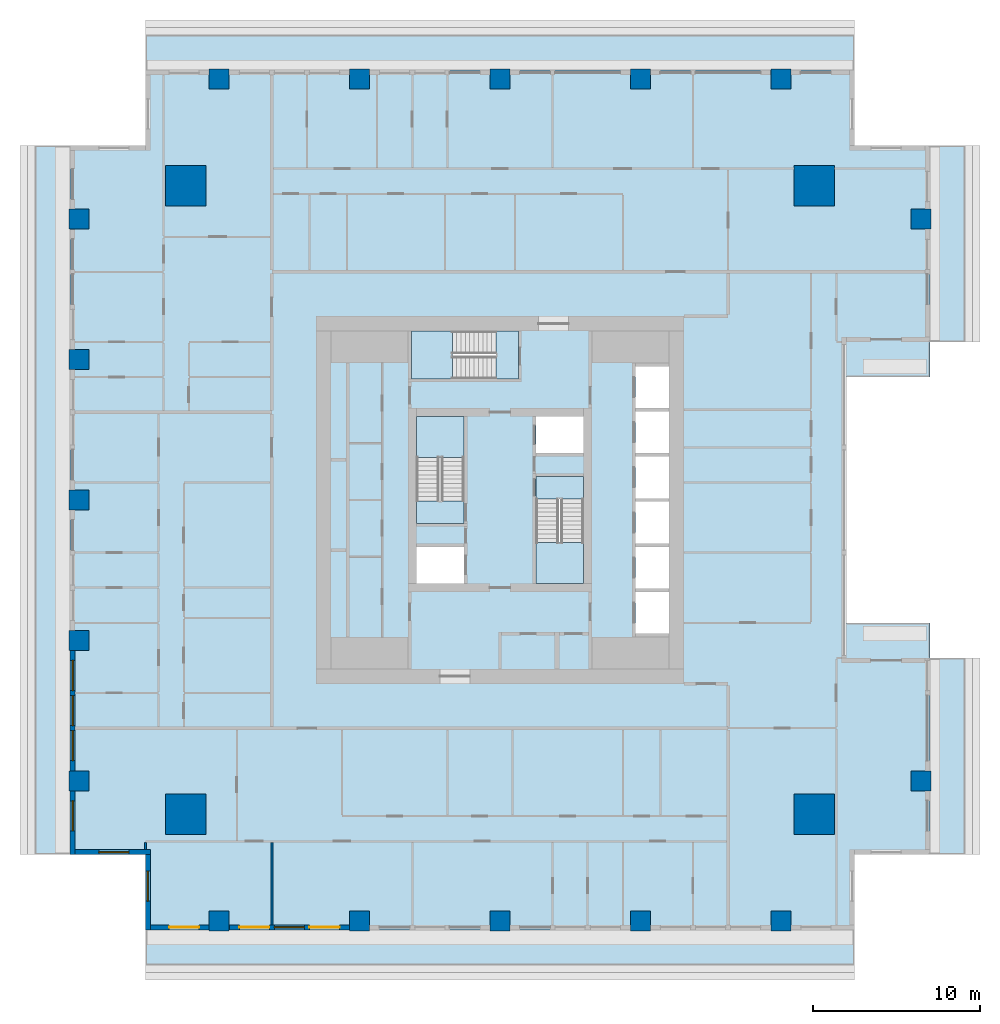
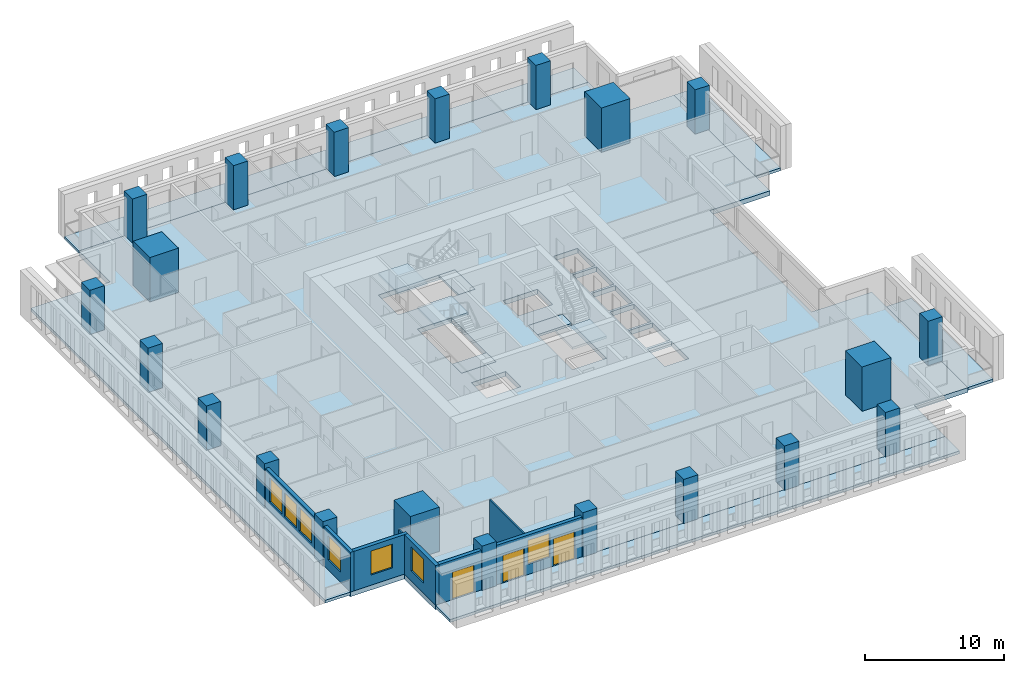
# One storey, part 1 of 15: 21 columns, 12 slabs, 8 walls, 7 windows, 3 doors, 10 openings, 3 elements without a shape of their own.
"""IFC4 building model written with IfcOpenShell, lengths in metres."""

from ifc_helpers import new_model, si_unit, direction, frame, frame_2d, origin, origin_2d, place, context, subcontext, project, spatial, polyline, rectangle, outline, extrude, material, layer, layer_set, material_profile, profile_set, type_object, element, fill, aggregate, save


model = new_model("IFC4")

# Units and contexts
model_context = context("Model", 3, precision=1e-05, world=origin(), true_north=direction((0.0, 1.0)))
body_context = subcontext(model_context, "Body", "Model", "MODEL_VIEW")
ifc_project = project(units=[si_unit("LENGTHUNIT", "METRE"), si_unit("AREAUNIT", "SQUARE_METRE"), si_unit("VOLUMEUNIT", "CUBIC_METRE"), si_unit("PLANEANGLEUNIT", "RADIAN"), si_unit("MASSUNIT", "GRAM", prefix="KILO")], contexts=[model_context])

# Site, building, storey
site_placement = place(None, origin())
site = spatial("IfcSite", under=ifc_project, at=site_placement, CompositionType="ELEMENT")
building_placement = place(site_placement, origin())
building = spatial("IfcBuilding", under=site, at=building_placement, Name="Khepri Terraces", CompositionType="ELEMENT")
storey_placement = place(building_placement, frame((0.0, 0.0, 211.800048828125)))
storey = spatial("IfcBuildingStorey", under=building, at=storey_placement, Name="L50", CompositionType="ELEMENT", Elevation=211.800048828125)

# Columns
ifc_material_1 = material(Name="Concrete C50/60", Category="concrete")
ifc_material_profile_1 = material_profile(ifc_material_1, rectangle(XDim=2.39990234375, YDim=2.39990234375, at=origin_2d()), Name="Concrete C50/60", Category="concrete")
ifc_profile_set_1 = profile_set([ifc_material_profile_1], Name="Concrete C50/60")
column_type_1 = type_object("IfcColumnType", Name="Mega column RC 2400x2400 C50/60", PredefinedType="COLUMN", material=ifc_profile_set_1)
for number, where, z_axis, x_axis, name in (
    (1, (18.800048828125, 18.800048828125, 0.0), (0.0, 0.0, 1.0), (1.0, 0.0, 0.0), "Mega column MEN L50"),
    (2, (18.800048828125, -18.800048828125, 0.0), (0.0, 0.0, 1.0), (1.0, 0.0, 0.0), "Mega column MES L50"),
    (3, (-18.800048828125, 18.800048828125, 0.0), (0.0, 0.0, 1.0), (1.0, 0.0, 0.0), "Mega column MWN L50"),
    (4, (-18.800048828125, -18.800048828125, 0.0), (0.0, 0.0, 1.0), (1.0, 0.0, 0.0), "Mega column MWS L50"),
):
    element("IfcColumn", number, at=place(storey_placement, frame(where, z_axis=z_axis, x_axis=x_axis)), inside=storey, type_object=column_type_1, Name=name, PredefinedType="COLUMN", context=body_context, shape_type="SweptSolid", body=[
        extrude(rectangle(XDim=2.39990234375, YDim=2.39990234375, at=origin_2d()), origin(), (0.0, 0.0, 1.0), 3.89990234375),
    ])
ifc_material_profile_2 = material_profile(ifc_material_1, rectangle(XDim=1.199951171875, YDim=1.199951171875, at=origin_2d()), Name="Concrete C50/60", Category="concrete")
ifc_profile_set_2 = profile_set([ifc_material_profile_2], Name="Concrete C50/60")
column_type_2 = type_object("IfcColumnType", Name="Tower column RC 1200x1200 C50/60", PredefinedType="COLUMN", material=ifc_profile_set_2)
for number, where, z_axis, x_axis, name in (
    (5, (25.199951171875, 16.800048828125, 0.0), (0.0, 0.0, 1.0), (1.0, 0.0, 0.0), "Perimeter column PE+168a L50"),
    (6, (25.199951171875, -16.800048828125, 0.0), (0.0, 0.0, 1.0), (1.0, 0.0, 0.0), "Perimeter column PE-168a L50"),
    (7, (0.0, 25.199951171875, 0.0), (0.0, 0.0, 1.0), (1.0, 0.0, 0.0), "Perimeter column PN+000b L50"),
    (8, (-8.39990234375, 25.199951171875, 0.0), (0.0, 0.0, 1.0), (1.0, 0.0, 0.0), "Perimeter column PN+084b L50"),
    (9, (-16.800048828125, 25.199951171875, 0.0), (0.0, 0.0, 1.0), (1.0, 0.0, 0.0), "Perimeter column PN+168a L50"),
    (10, (8.39990234375, 25.199951171875, 0.0), (0.0, 0.0, 1.0), (1.0, 0.0, 0.0), "Perimeter column PN-084b L50"),
    (11, (16.800048828125, 25.199951171875, 0.0), (0.0, 0.0, 1.0), (1.0, 0.0, 0.0), "Perimeter column PN-168a L50"),
    (12, (0.0, -25.199951171875, 0.0), (0.0, 0.0, 1.0), (1.0, 0.0, 0.0), "Perimeter column PS+000b L50"),
    (13, (8.39990234375, -25.199951171875, 0.0), (0.0, 0.0, 1.0), (1.0, 0.0, 0.0), "Perimeter column PS+084b L50"),
    (14, (16.800048828125, -25.199951171875, 0.0), (0.0, 0.0, 1.0), (1.0, 0.0, 0.0), "Perimeter column PS+168a L50"),
    (15, (-8.39990234375, -25.199951171875, 0.0), (0.0, 0.0, 1.0), (1.0, 0.0, 0.0), "Perimeter column PS-084b L50"),
    (16, (-16.800048828125, -25.199951171875, 0.0), (0.0, 0.0, 1.0), (1.0, 0.0, 0.0), "Perimeter column PS-168a L50"),
    (17, (-25.199951171875, 0.0, 0.0), (0.0, 0.0, 1.0), (1.0, 0.0, 0.0), "Perimeter column PW+000b L50"),
    (18, (-25.199951171875, -8.39990234375, 0.0), (0.0, 0.0, 1.0), (1.0, 0.0, 0.0), "Perimeter column PW+084b L50"),
    (19, (-25.199951171875, -16.800048828125, 0.0), (0.0, 0.0, 1.0), (1.0, 0.0, 0.0), "Perimeter column PW+168a L50"),
    (20, (-25.199951171875, 8.39990234375, 0.0), (0.0, 0.0, 1.0), (1.0, 0.0, 0.0), "Perimeter column PW-084b L50"),
    (21, (-25.199951171875, 16.800048828125, 0.0), (0.0, 0.0, 1.0), (1.0, 0.0, 0.0), "Perimeter column PW-168a L50"),
):
    element("IfcColumn", number, at=place(storey_placement, frame(where, z_axis=z_axis, x_axis=x_axis)), inside=storey, type_object=column_type_2, Name=name, PredefinedType="COLUMN", context=body_context, shape_type="SweptSolid", body=[
        extrude(rectangle(XDim=1.199951171875, YDim=1.199951171875, at=origin_2d()), origin(), (0.0, 0.0, 1.0), 3.89990234375),
    ])

# Slabs
ifc_material_2 = material(Name="Concrete C40/50", Category="concrete")
ifc_layer_1 = layer(ifc_material_2, 0.419921875, Name="Concrete C40/50", Category="concrete")
ifc_layer_set_1 = layer_set([ifc_layer_1], Name="Concrete C40/50")
slab_type_1 = type_object("IfcSlabType", Name="Flat plate 420", PredefinedType="FLOOR", material=ifc_layer_set_1)
slab_1_placement = place(storey_placement, frame((0.0, 0.0, -0.420166015625)))
element("IfcSlab", 22, at=slab_1_placement, inside=storey, type_object=slab_type_1, Name="Floor slab F01 L50", PredefinedType="FLOOR", context=body_context, shape_type="SweptSolid", body=[
    extrude(outline(polyline([(21.219970703125, 25.719970703125), (21.219970703125, 21.219970703125), (25.719970703125, 21.219970703125), (25.719970703125, 9.449951171875), (25.719970703125, 7.35009765625), (20.719970703125, 7.35009765625), (20.719970703125, -7.35009765625), (25.719970703125, -7.35009765625), (25.719970703125, -9.449951171875), (25.719970703125, -21.219970703125), (21.219970703125, -21.219970703125), (21.219970703125, -25.719970703125), (-21.219970703125, -25.719970703125), (-21.219970703125, -21.219970703125), (-25.719970703125, -21.219970703125), (-25.719970703125, 21.219970703125), (-21.219970703125, 21.219970703125), (-21.219970703125, 25.719970703125), (21.219970703125, 25.719970703125)]), holes=[polyline([(2.14990234375, 2.800048828125), (5.0, 2.800048828125), (5.0, 5.0), (2.14990234375, 5.0), (2.14990234375, 2.800048828125)]), polyline([(-5.0, -2.800048828125), (-5.0, -5.0), (-2.14990234375, -5.0), (-2.14990234375, -2.800048828125), (-5.0, -2.800048828125)]), polyline([(10.10009765625, -5.5), (8.10009765625, -5.5), (8.10009765625, -8.0), (10.10009765625, -8.0), (10.10009765625, -5.5)]), polyline([(10.10009765625, -5.300048828125), (10.10009765625, -2.800048828125), (8.10009765625, -2.800048828125), (8.10009765625, -5.300048828125), (10.10009765625, -5.300048828125)]), polyline([(8.10009765625, -2.60009765625), (10.10009765625, -2.60009765625), (10.10009765625, -0.10009765625), (8.10009765625, -0.10009765625), (8.10009765625, -2.60009765625)]), polyline([(8.10009765625, 2.60009765625), (8.10009765625, 0.10009765625), (10.10009765625, 0.10009765625), (10.10009765625, 2.60009765625), (8.10009765625, 2.60009765625)]), polyline([(10.10009765625, 5.300048828125), (8.10009765625, 5.300048828125), (8.10009765625, 2.800048828125), (10.10009765625, 2.800048828125), (10.10009765625, 5.300048828125)]), polyline([(10.10009765625, 5.5), (10.10009765625, 8.0), (8.10009765625, 8.0), (8.10009765625, 5.5), (10.10009765625, 5.5)]), polyline([(-5.0, -1.39990234375), (-2.14990234375, -1.39990234375), (-2.14990234375, 5.0), (-5.0, 5.0), (-5.0, -1.39990234375)]), polyline([(5.0, -5.0), (5.0, 1.39990234375), (2.14990234375, 1.39990234375), (2.14990234375, -5.0), (5.0, -5.0)]), polyline([(-5.300048828125, 10.10009765625), (-5.300048828125, 7.25), (1.10009765625, 7.25), (1.10009765625, 10.10009765625), (-5.300048828125, 10.10009765625)])]), origin(), (0.0, 0.0, 1.0), 0.420166015625),
])
ifc_material_3 = material(Name="Precast concrete C50/60 warm stone", Category="masonry")
ifc_layer_2 = layer(ifc_material_3, 0.25, Name="Precast concrete C50/60 warm stone", Category="masonry")
ifc_layer_set_2 = layer_set([ifc_layer_2], Name="Precast concrete C50/60 warm stone")
slab_type_2 = type_object("IfcSlabType", Name="SLB-BALCONY-250", PredefinedType="FLOOR", material=ifc_layer_set_2)
slab_2_placement = place(storey_placement, frame((0.0, 0.0, -0.25)))
element("IfcSlab", 23, at=slab_2_placement, inside=storey, type_object=slab_type_2, Name="Balcony slab L50 S", PredefinedType="FLOOR", context=body_context, shape_type="SweptSolid", body=[
    extrude(outline(polyline([(-17.39990234375, -25.719970703125), (-21.219970703125, -25.719970703125), (-21.219970703125, -27.820068359375), (21.219970703125, -27.820068359375), (21.219970703125, -25.719970703125), (17.39990234375, -25.719970703125), (17.39990234375, -25.800048828125), (16.199951171875, -25.800048828125), (16.199951171875, -25.719970703125), (9.0, -25.719970703125), (9.0, -25.800048828125), (7.800048828125, -25.800048828125), (7.800048828125, -25.719970703125), (0.60009765625, -25.719970703125), (0.60009765625, -25.800048828125), (-0.60009765625, -25.800048828125), (-0.60009765625, -25.719970703125), (-7.800048828125, -25.719970703125), (-7.800048828125, -25.800048828125), (-9.0, -25.800048828125), (-9.0, -25.719970703125), (-16.199951171875, -25.719970703125), (-16.199951171875, -25.800048828125), (-17.39990234375, -25.800048828125), (-17.39990234375, -25.719970703125)])), origin(), (0.0, 0.0, 1.0), 0.25),
])
slab_3_placement = place(storey_placement, frame((0.0, 0.0, -0.25)))
element("IfcSlab", 24, at=slab_3_placement, inside=storey, type_object=slab_type_2, Name="Balcony slab L50 E", PredefinedType="FLOOR", context=body_context, shape_type="SweptSolid", body=[
    extrude(outline(polyline([(25.719970703125, -17.39990234375), (25.719970703125, -21.219970703125), (27.820068359375, -21.219970703125), (27.820068359375, -9.449951171875), (25.719970703125, -9.449951171875), (25.719970703125, -16.199951171875), (25.800048828125, -16.199951171875), (25.800048828125, -17.39990234375), (25.719970703125, -17.39990234375)])), origin(), (0.0, 0.0, 1.0), 0.25),
])
slab_4_placement = place(storey_placement, frame((0.0, 0.0, -0.25)))
element("IfcSlab", 25, at=slab_4_placement, inside=storey, type_object=slab_type_2, Name="Balcony slab L50 E", PredefinedType="FLOOR", context=body_context, shape_type="SweptSolid", body=[
    extrude(outline(polyline([(25.719970703125, 16.199951171875), (25.719970703125, 9.449951171875), (27.820068359375, 9.449951171875), (27.820068359375, 21.219970703125), (25.719970703125, 21.219970703125), (25.719970703125, 17.39990234375), (25.800048828125, 17.39990234375), (25.800048828125, 16.199951171875), (25.719970703125, 16.199951171875)])), origin(), (0.0, 0.0, 1.0), 0.25),
])
slab_5_placement = place(storey_placement, frame((0.0, 0.0, -0.25)))
element("IfcSlab", 26, at=slab_5_placement, inside=storey, type_object=slab_type_2, Name="Balcony slab L50 N", PredefinedType="FLOOR", context=body_context, shape_type="SweptSolid", body=[
    extrude(outline(polyline([(17.39990234375, 25.719970703125), (21.219970703125, 25.719970703125), (21.219970703125, 27.820068359375), (-21.219970703125, 27.820068359375), (-21.219970703125, 25.719970703125), (-17.39990234375, 25.719970703125), (-17.39990234375, 25.800048828125), (-16.199951171875, 25.800048828125), (-16.199951171875, 25.719970703125), (-9.0, 25.719970703125), (-9.0, 25.800048828125), (-7.800048828125, 25.800048828125), (-7.800048828125, 25.719970703125), (-0.60009765625, 25.719970703125), (-0.60009765625, 25.800048828125), (0.60009765625, 25.800048828125), (0.60009765625, 25.719970703125), (7.800048828125, 25.719970703125), (7.800048828125, 25.800048828125), (9.0, 25.800048828125), (9.0, 25.719970703125), (16.199951171875, 25.719970703125), (16.199951171875, 25.800048828125), (17.39990234375, 25.800048828125), (17.39990234375, 25.719970703125)])), origin(), (0.0, 0.0, 1.0), 0.25),
])
slab_6_placement = place(storey_placement, frame((0.0, 0.0, -0.25)))
element("IfcSlab", 27, at=slab_6_placement, inside=storey, type_object=slab_type_2, Name="Balcony slab L50 W", PredefinedType="FLOOR", context=body_context, shape_type="SweptSolid", body=[
    extrude(outline(polyline([(-25.719970703125, 17.39990234375), (-25.719970703125, 21.219970703125), (-27.820068359375, 21.219970703125), (-27.820068359375, -21.219970703125), (-25.719970703125, -21.219970703125), (-25.719970703125, -17.39990234375), (-25.800048828125, -17.39990234375), (-25.800048828125, -16.199951171875), (-25.719970703125, -16.199951171875), (-25.719970703125, -9.0), (-25.800048828125, -9.0), (-25.800048828125, -7.800048828125), (-25.719970703125, -7.800048828125), (-25.719970703125, -0.60009765625), (-25.800048828125, -0.60009765625), (-25.800048828125, 0.60009765625), (-25.719970703125, 0.60009765625), (-25.719970703125, 7.800048828125), (-25.800048828125, 7.800048828125), (-25.800048828125, 9.0), (-25.719970703125, 9.0), (-25.719970703125, 16.199951171875), (-25.800048828125, 16.199951171875), (-25.800048828125, 17.39990234375), (-25.719970703125, 17.39990234375)])), origin(), (0.0, 0.0, 1.0), 0.25),
])

# Stair, slabs
stair_type = type_object("IfcStairType", Name="STAIR-RC-22R", PredefinedType="HALF_TURN_STAIR", material=ifc_material_2)
stair_1_placement = place(storey_placement, origin())
stair_1 = element("IfcStair", 28, at=stair_1_placement, inside=storey, type_object=stair_type, Name="L50 Exit Stair ST-1", PredefinedType="HALF_TURN_STAIR")
ifc_layer_3 = layer(ifc_material_2, 0.199951171875, Name="Concrete C40/50", Category="concrete")
ifc_layer_set_3 = layer_set([ifc_layer_3], Name="Concrete C40/50")
slab_type_3 = type_object("IfcSlabType", Name="SLB-CORE-LANDING", PredefinedType="LANDING", material=ifc_layer_set_3)
slab_7_placement = place(storey_placement, frame((0.0, 0.0, -0.199951171875)))
slab_7 = element("IfcSlab", 29, at=slab_7_placement, type_object=slab_type_3, Name="ST-1 landing 1", PredefinedType="LANDING", context=body_context, shape_type="SweptSolid", body=[
    extrude(outline(polyline([(-2.14990234375, -1.39990234375), (-2.14990234375, -0.050048828125), (-5.0, -0.050048828125), (-5.0, -1.39990234375), (-2.14990234375, -1.39990234375)])), origin(), (0.0, 0.0, 1.0), 0.199951171875),
])
slab_8_placement = place(storey_placement, frame((0.0, 0.0, 1.75)))
slab_8 = element("IfcSlab", 30, at=slab_8_placement, type_object=slab_type_3, Name="ST-1 landing 2", PredefinedType="LANDING", context=body_context, shape_type="SweptSolid", body=[
    extrude(outline(polyline([(-2.14990234375, 2.550048828125), (-2.14990234375, 5.0), (-5.0, 5.0), (-5.0, 2.550048828125), (-2.14990234375, 2.550048828125)])), origin(), (0.0, 0.0, 1.0), 0.199951171875),
])
aggregate(stair_1, [slab_7, slab_8])

stair_2_placement = place(storey_placement, origin())
stair_2 = element("IfcStair", 31, at=stair_2_placement, inside=storey, type_object=stair_type, Name="L50 Exit Stair ST-2", PredefinedType="HALF_TURN_STAIR")
slab_9_placement = place(storey_placement, frame((0.0, 0.0, -0.199951171875)))
slab_9 = element("IfcSlab", 32, at=slab_9_placement, type_object=slab_type_3, Name="ST-2 landing 1", PredefinedType="LANDING", context=body_context, shape_type="SweptSolid", body=[
    extrude(outline(polyline([(2.14990234375, 1.39990234375), (2.14990234375, 0.050048828125), (5.0, 0.050048828125), (5.0, 1.39990234375), (2.14990234375, 1.39990234375)])), origin(), (0.0, 0.0, 1.0), 0.199951171875),
])
slab_10_placement = place(storey_placement, frame((0.0, 0.0, 1.75)))
slab_10 = element("IfcSlab", 33, at=slab_10_placement, type_object=slab_type_3, Name="ST-2 landing 2", PredefinedType="LANDING", context=body_context, shape_type="SweptSolid", body=[
    extrude(outline(polyline([(2.14990234375, -2.550048828125), (2.14990234375, -5.0), (5.0, -5.0), (5.0, -2.550048828125), (2.14990234375, -2.550048828125)])), origin(), (0.0, 0.0, 1.0), 0.199951171875),
])
aggregate(stair_2, [slab_9, slab_10])

stair_3_placement = place(storey_placement, origin())
stair_3 = element("IfcStair", 34, at=stair_3_placement, inside=storey, type_object=stair_type, Name="L50 Exit Stair ST-3", PredefinedType="HALF_TURN_STAIR")
slab_11_placement = place(storey_placement, frame((0.0, 0.0, -0.199951171875)))
slab_11 = element("IfcSlab", 35, at=slab_11_placement, type_object=slab_type_3, Name="ST-3 landing 1", PredefinedType="LANDING", context=body_context, shape_type="SweptSolid", body=[
    extrude(outline(polyline([(1.10009765625, 10.10009765625), (-0.25, 10.10009765625), (-0.25, 7.25), (1.10009765625, 7.25), (1.10009765625, 10.10009765625)])), origin(), (0.0, 0.0, 1.0), 0.199951171875),
])
slab_12_placement = place(storey_placement, frame((0.0, 0.0, 1.75)))
slab_12 = element("IfcSlab", 36, at=slab_12_placement, type_object=slab_type_3, Name="ST-3 landing 2", PredefinedType="LANDING", context=body_context, shape_type="SweptSolid", body=[
    extrude(outline(polyline([(-2.85009765625, 10.10009765625), (-5.300048828125, 10.10009765625), (-5.300048828125, 7.25), (-2.85009765625, 7.25), (-2.85009765625, 10.10009765625)])), origin(), (0.0, 0.0, 1.0), 0.199951171875),
])
aggregate(stair_3, [slab_11, slab_12])

# Wall, openings, windows
ifc_layer_4 = layer(ifc_material_3, 0.300048828125, Name="Precast concrete C50/60 warm stone", Category="masonry")
ifc_layer_set_4 = layer_set([ifc_layer_4], Name="Precast concrete C50/60 warm stone")
wall_type_1 = type_object("IfcWallType", Name="WL-EXT-PRECAST-300", PredefinedType="STANDARD", material=ifc_layer_set_4)
wall_1_placement = place(storey_placement, frame((-25.570068359375, -9.0, 0.0), z_axis=(0.0, 0.0, 1.0), x_axis=(0.0, -1.0, 0.0)))
wall_1 = element("IfcWall", 37, at=wall_1_placement, inside=storey, type_object=wall_type_1, Name="External wall L50 W", PredefinedType="STANDARD", context=body_context, shape_type="SweptSolid", body=[
    extrude(rectangle(XDim=7.199951171875, YDim=0.300048828125, at=frame_2d((3.60009765625, 0.0))), origin(), (0.0, 0.0, 1.0), 3.47998046875),
])
opening_1_placement = place(wall_1_placement, frame((0.60009765625, 0.0, 0.89990234375)))
opening_1 = element("IfcOpeningElement", 38, at=opening_1_placement, cuts=wall_1, Name="Opening W1", PredefinedType="OPENING", context=body_context, shape_type="SweptSolid", body=[
    extrude(rectangle(XDim=1.800048828125, YDim=2.10009765625, at=frame_2d((0.89990234375, 1.050048828125))), frame((0.0, 0.16015625, 0.0), z_axis=(0.0, -1.0, 0.0), x_axis=(1.0, 0.0, 0.0)), (0.0, 0.0, 1.0), 0.320068359375),
])
opening_2_placement = place(wall_1_placement, frame((2.699951171875, 0.0, 0.89990234375)))
opening_2 = element("IfcOpeningElement", 39, at=opening_2_placement, cuts=wall_1, Name="Opening W1", PredefinedType="OPENING", context=body_context, shape_type="SweptSolid", body=[
    extrude(rectangle(XDim=1.800048828125, YDim=2.10009765625, at=frame_2d((0.89990234375, 1.050048828125))), frame((0.0, 0.16015625, 0.0), z_axis=(0.0, -1.0, 0.0), x_axis=(1.0, 0.0, 0.0)), (0.0, 0.0, 1.0), 0.320068359375),
])
opening_3_placement = place(wall_1_placement, frame((4.800048828125, 0.0, 0.89990234375)))
opening_3 = element("IfcOpeningElement", 40, at=opening_3_placement, cuts=wall_1, Name="Opening W1", PredefinedType="OPENING", context=body_context, shape_type="SweptSolid", body=[
    extrude(rectangle(XDim=1.800048828125, YDim=2.10009765625, at=frame_2d((0.89990234375, 1.050048828125))), frame((0.0, 0.16015625, 0.0), z_axis=(0.0, -1.0, 0.0), x_axis=(1.0, 0.0, 0.0)), (0.0, 0.0, 1.0), 0.320068359375),
])
ifc_material_4 = material(Name="Clear glass", Category="glass")
window_type = type_object("IfcWindowType", Name="WIN-RES-1800x2100", PartitioningType="SINGLE_PANEL", PredefinedType="WINDOW", material=ifc_material_4)
window_1_placement = place(opening_1_placement, origin())
window_1 = element("IfcWindow", 41, at=window_1_placement, inside=storey, type_object=window_type, Name="Window L50 W", OverallHeight=2.10009765625, OverallWidth=1.800048828125, PartitioningType="SINGLE_PANEL", PredefinedType="WINDOW", context=body_context, shape_type="SweptSolid", body=[
    extrude(rectangle(XDim=1.800048828125, YDim=2.10009765625, at=frame_2d((0.89990234375, 1.050048828125))), frame((0.0, 0.030029296875, 0.0), z_axis=(0.0, -1.0, 0.0), x_axis=(1.0, 0.0, 0.0)), (0.0, 0.0, 1.0), 0.06005859375),
])
fill(opening_1, window_1)
window_2_placement = place(opening_2_placement, origin())
window_2 = element("IfcWindow", 42, at=window_2_placement, inside=storey, type_object=window_type, Name="Window L50 W", OverallHeight=2.10009765625, OverallWidth=1.800048828125, PartitioningType="SINGLE_PANEL", PredefinedType="WINDOW", context=body_context, shape_type="SweptSolid", body=[
    extrude(rectangle(XDim=1.800048828125, YDim=2.10009765625, at=frame_2d((0.89990234375, 1.050048828125))), frame((0.0, 0.030029296875, 0.0), z_axis=(0.0, -1.0, 0.0), x_axis=(1.0, 0.0, 0.0)), (0.0, 0.0, 1.0), 0.06005859375),
])
fill(opening_2, window_2)
window_3_placement = place(opening_3_placement, origin())
window_3 = element("IfcWindow", 43, at=window_3_placement, inside=storey, type_object=window_type, Name="Window L50 W", OverallHeight=2.10009765625, OverallWidth=1.800048828125, PartitioningType="SINGLE_PANEL", PredefinedType="WINDOW", context=body_context, shape_type="SweptSolid", body=[
    extrude(rectangle(XDim=1.800048828125, YDim=2.10009765625, at=frame_2d((0.89990234375, 1.050048828125))), frame((0.0, 0.030029296875, 0.0), z_axis=(0.0, -1.0, 0.0), x_axis=(1.0, 0.0, 0.0)), (0.0, 0.0, 1.0), 0.06005859375),
])
fill(opening_3, window_3)

# Wall, opening, window
wall_2_placement = place(storey_placement, frame((-25.570068359375, -17.39990234375, 0.0), z_axis=(0.0, 0.0, 1.0), x_axis=(0.0, -1.0, 0.0)))
wall_2 = element("IfcWall", 44, at=wall_2_placement, inside=storey, type_object=wall_type_1, Name="External wall L50 W", PredefinedType="STANDARD", context=body_context, shape_type="SweptSolid", body=[
    extrude(rectangle(XDim=3.820068359375, YDim=0.300048828125, at=frame_2d((1.91015625, 0.0))), origin(), (0.0, 0.0, 1.0), 3.47998046875),
])
opening_4_placement = place(wall_2_placement, frame((0.60009765625, 0.0, 0.89990234375)))
opening_4 = element("IfcOpeningElement", 45, at=opening_4_placement, cuts=wall_2, Name="Opening W1", PredefinedType="OPENING", context=body_context, shape_type="SweptSolid", body=[
    extrude(rectangle(XDim=1.800048828125, YDim=2.10009765625, at=frame_2d((0.89990234375, 1.050048828125))), frame((0.0, 0.16015625, 0.0), z_axis=(0.0, -1.0, 0.0), x_axis=(1.0, 0.0, 0.0)), (0.0, 0.0, 1.0), 0.320068359375),
])
window_4_placement = place(opening_4_placement, origin())
window_4 = element("IfcWindow", 46, at=window_4_placement, inside=storey, type_object=window_type, Name="Window L50 W", OverallHeight=2.10009765625, OverallWidth=1.800048828125, PartitioningType="SINGLE_PANEL", PredefinedType="WINDOW", context=body_context, shape_type="SweptSolid", body=[
    extrude(rectangle(XDim=1.800048828125, YDim=2.10009765625, at=frame_2d((0.89990234375, 1.050048828125))), frame((0.0, 0.030029296875, 0.0), z_axis=(0.0, -1.0, 0.0), x_axis=(1.0, 0.0, 0.0)), (0.0, 0.0, 1.0), 0.06005859375),
])
fill(opening_4, window_4)

wall_3_placement = place(storey_placement, frame((-25.419921875, -21.070068359375, 0.0), z_axis=(0.0, 0.0, 1.0), x_axis=(1.0, 0.0, 0.0)))
wall_3 = element("IfcWall", 47, at=wall_3_placement, inside=storey, type_object=wall_type_1, Name="External wall L50 S", PredefinedType="STANDARD", context=body_context, shape_type="SweptSolid", body=[
    extrude(rectangle(XDim=4.5, YDim=0.300048828125, at=frame_2d((2.25, 0.0))), origin(), (0.0, 0.0, 1.0), 3.47998046875),
])
opening_5_placement = place(wall_3_placement, frame((1.419921875, 0.0, 0.89990234375)))
opening_5 = element("IfcOpeningElement", 48, at=opening_5_placement, cuts=wall_3, Name="Opening W1", PredefinedType="OPENING", context=body_context, shape_type="SweptSolid", body=[
    extrude(rectangle(XDim=1.800048828125, YDim=2.10009765625, at=frame_2d((0.89990234375, 1.050048828125))), frame((0.0, 0.16015625, 0.0), z_axis=(0.0, -1.0, 0.0), x_axis=(1.0, 0.0, 0.0)), (0.0, 0.0, 1.0), 0.320068359375),
])
window_5_placement = place(opening_5_placement, origin())
window_5 = element("IfcWindow", 49, at=window_5_placement, inside=storey, type_object=window_type, Name="Window L50 S", OverallHeight=2.10009765625, OverallWidth=1.800048828125, PartitioningType="SINGLE_PANEL", PredefinedType="WINDOW", context=body_context, shape_type="SweptSolid", body=[
    extrude(rectangle(XDim=1.800048828125, YDim=2.10009765625, at=frame_2d((0.89990234375, 1.050048828125))), frame((0.0, 0.030029296875, 0.0), z_axis=(0.0, -1.0, 0.0), x_axis=(1.0, 0.0, 0.0)), (0.0, 0.0, 1.0), 0.06005859375),
])
fill(opening_5, window_5)

wall_4_placement = place(storey_placement, frame((-21.070068359375, -21.219970703125, 0.0), z_axis=(0.0, 0.0, 1.0), x_axis=(0.0, -1.0, 0.0)))
wall_4 = element("IfcWall", 50, at=wall_4_placement, inside=storey, type_object=wall_type_1, Name="External wall L50 W", PredefinedType="STANDARD", context=body_context, shape_type="SweptSolid", body=[
    extrude(rectangle(XDim=4.5, YDim=0.300048828125, at=frame_2d((2.25, 0.0))), origin(), (0.0, 0.0, 1.0), 3.47998046875),
])
opening_6_placement = place(wall_4_placement, frame((0.97998046875, 0.0, 0.89990234375)))
opening_6 = element("IfcOpeningElement", 51, at=opening_6_placement, cuts=wall_4, Name="Opening W1", PredefinedType="OPENING", context=body_context, shape_type="SweptSolid", body=[
    extrude(rectangle(XDim=1.800048828125, YDim=2.10009765625, at=frame_2d((0.89990234375, 1.050048828125))), frame((0.0, 0.16015625, 0.0), z_axis=(0.0, -1.0, 0.0), x_axis=(1.0, 0.0, 0.0)), (0.0, 0.0, 1.0), 0.320068359375),
])
window_6_placement = place(opening_6_placement, origin())
window_6 = element("IfcWindow", 52, at=window_6_placement, inside=storey, type_object=window_type, Name="Window L50 W", OverallHeight=2.10009765625, OverallWidth=1.800048828125, PartitioningType="SINGLE_PANEL", PredefinedType="WINDOW", context=body_context, shape_type="SweptSolid", body=[
    extrude(rectangle(XDim=1.800048828125, YDim=2.10009765625, at=frame_2d((0.89990234375, 1.050048828125))), frame((0.0, 0.030029296875, 0.0), z_axis=(0.0, -1.0, 0.0), x_axis=(1.0, 0.0, 0.0)), (0.0, 0.0, 1.0), 0.06005859375),
])
fill(opening_6, window_6)

# Wall, opening, door
wall_5_placement = place(storey_placement, frame((-20.919921875, -25.570068359375, 0.0), z_axis=(0.0, 0.0, 1.0), x_axis=(1.0, 0.0, 0.0)))
wall_5 = element("IfcWall", 53, at=wall_5_placement, inside=storey, type_object=wall_type_1, Name="External wall L50 S", PredefinedType="STANDARD", context=body_context, shape_type="SweptSolid", body=[
    extrude(rectangle(XDim=3.52001953125, YDim=0.300048828125, at=frame_2d((1.760009765625, 0.0))), origin(), (0.0, 0.0, 1.0), 3.47998046875),
])
opening_7_placement = place(wall_5_placement, frame((1.1201171875, 0.0, 0.0)))
opening_7 = element("IfcOpeningElement", 54, at=opening_7_placement, cuts=wall_5, Name="Opening ED-L50-17", PredefinedType="OPENING", context=body_context, shape_type="SweptSolid", body=[
    extrude(rectangle(XDim=1.800048828125, YDim=2.39990234375, at=frame_2d((0.89990234375, 1.199951171875))), frame((0.0, 0.16015625, 0.0), z_axis=(0.0, -1.0, 0.0), x_axis=(1.0, 0.0, 0.0)), (0.0, 0.0, 1.0), 0.320068359375),
])
ifc_material_5 = material(Name="Anodised aluminium bronze glazed door", Category="aluminium")
door_type = type_object("IfcDoorType", Name="DR-BAL-SLIDE-1800x2400", OperationType="NOTDEFINED", PredefinedType="DOOR", material=ifc_material_5)
door_1_placement = place(opening_7_placement, origin())
door_1 = element("IfcDoor", 55, at=door_1_placement, inside=storey, type_object=door_type, Name="Balcony door L50 S", OperationType="SLIDING_TO_RIGHT", OverallHeight=2.39990234375, OverallWidth=1.800048828125, PredefinedType="DOOR", context=body_context, shape_type="SweptSolid", body=[
    extrude(rectangle(XDim=1.800048828125, YDim=2.39990234375, at=frame_2d((0.89990234375, 1.199951171875))), frame((0.0, 0.02490234375, 0.0), z_axis=(0.0, -1.0, 0.0), x_axis=(1.0, 0.0, 0.0)), (0.0, 0.0, 1.0), 0.050048828125),
])
fill(opening_7, door_1)

# Wall, openings, doors, window
wall_6_placement = place(storey_placement, frame((-16.199951171875, -25.570068359375, 0.0), z_axis=(0.0, 0.0, 1.0), x_axis=(1.0, 0.0, 0.0)))
wall_6 = element("IfcWall", 56, at=wall_6_placement, inside=storey, type_object=wall_type_1, Name="External wall L50 S", PredefinedType="STANDARD", context=body_context, shape_type="SweptSolid", body=[
    extrude(rectangle(XDim=7.199951171875, YDim=0.300048828125, at=frame_2d((3.60009765625, 0.0))), origin(), (0.0, 0.0, 1.0), 3.47998046875),
])
opening_8_placement = place(wall_6_placement, frame((0.60009765625, 0.0, 0.0)))
opening_8 = element("IfcOpeningElement", 57, at=opening_8_placement, cuts=wall_6, Name="Opening ED-L50-18", PredefinedType="OPENING", context=body_context, shape_type="SweptSolid", body=[
    extrude(rectangle(XDim=1.800048828125, YDim=2.39990234375, at=frame_2d((0.89990234375, 1.199951171875))), frame((0.0, 0.16015625, 0.0), z_axis=(0.0, -1.0, 0.0), x_axis=(1.0, 0.0, 0.0)), (0.0, 0.0, 1.0), 0.320068359375),
])
opening_9_placement = place(wall_6_placement, frame((2.699951171875, 0.0, 0.89990234375)))
opening_9 = element("IfcOpeningElement", 58, at=opening_9_placement, cuts=wall_6, Name="Opening W1", PredefinedType="OPENING", context=body_context, shape_type="SweptSolid", body=[
    extrude(rectangle(XDim=1.800048828125, YDim=2.10009765625, at=frame_2d((0.89990234375, 1.050048828125))), frame((0.0, 0.16015625, 0.0), z_axis=(0.0, -1.0, 0.0), x_axis=(1.0, 0.0, 0.0)), (0.0, 0.0, 1.0), 0.320068359375),
])
opening_10_placement = place(wall_6_placement, frame((4.800048828125, 0.0, 0.0)))
opening_10 = element("IfcOpeningElement", 59, at=opening_10_placement, cuts=wall_6, Name="Opening ED-L50-19", PredefinedType="OPENING", context=body_context, shape_type="SweptSolid", body=[
    extrude(rectangle(XDim=1.800048828125, YDim=2.39990234375, at=frame_2d((0.89990234375, 1.199951171875))), frame((0.0, 0.16015625, 0.0), z_axis=(0.0, -1.0, 0.0), x_axis=(1.0, 0.0, 0.0)), (0.0, 0.0, 1.0), 0.320068359375),
])
door_2_placement = place(opening_8_placement, origin())
door_2 = element("IfcDoor", 60, at=door_2_placement, inside=storey, type_object=door_type, Name="Balcony door L50 S", OperationType="SLIDING_TO_LEFT", OverallHeight=2.39990234375, OverallWidth=1.800048828125, PredefinedType="DOOR", context=body_context, shape_type="SweptSolid", body=[
    extrude(rectangle(XDim=1.800048828125, YDim=2.39990234375, at=frame_2d((0.89990234375, 1.199951171875))), frame((0.0, 0.02490234375, 0.0), z_axis=(0.0, -1.0, 0.0), x_axis=(1.0, 0.0, 0.0)), (0.0, 0.0, 1.0), 0.050048828125),
])
fill(opening_8, door_2)
door_3_placement = place(opening_10_placement, origin())
door_3 = element("IfcDoor", 61, at=door_3_placement, inside=storey, type_object=door_type, Name="Balcony door L50 S", OperationType="SLIDING_TO_RIGHT", OverallHeight=2.39990234375, OverallWidth=1.800048828125, PredefinedType="DOOR", context=body_context, shape_type="SweptSolid", body=[
    extrude(rectangle(XDim=1.800048828125, YDim=2.39990234375, at=frame_2d((0.89990234375, 1.199951171875))), frame((0.0, 0.02490234375, 0.0), z_axis=(0.0, -1.0, 0.0), x_axis=(1.0, 0.0, 0.0)), (0.0, 0.0, 1.0), 0.050048828125),
])
fill(opening_10, door_3)
window_7_placement = place(opening_9_placement, origin())
window_7 = element("IfcWindow", 62, at=window_7_placement, inside=storey, type_object=window_type, Name="Window L50 S", OverallHeight=2.10009765625, OverallWidth=1.800048828125, PartitioningType="SINGLE_PANEL", PredefinedType="WINDOW", context=body_context, shape_type="SweptSolid", body=[
    extrude(rectangle(XDim=1.800048828125, YDim=2.10009765625, at=frame_2d((0.89990234375, 1.050048828125))), frame((0.0, 0.030029296875, 0.0), z_axis=(0.0, -1.0, 0.0), x_axis=(1.0, 0.0, 0.0)), (0.0, 0.0, 1.0), 0.06005859375),
])
fill(opening_9, window_7)

# Walls
ifc_material_6 = material(Name="Gypsum plasterboard partition")
ifc_layer_5 = layer(ifc_material_6, 0.1201171875, Name="Gypsum plasterboard partition")
ifc_layer_set_5 = layer_set([ifc_layer_5], Name="Gypsum plasterboard partition")
wall_type_2 = type_object("IfcWallType", Name="WL-PART-120", PredefinedType="PARTITIONING", material=ifc_layer_set_5)
wall_7_placement = place(storey_placement, frame((-13.64990234375, -25.419921875, 0.0), z_axis=(0.0, 0.0, 1.0), x_axis=(0.0, 1.0, 0.0)))
element("IfcWall", 63, at=wall_7_placement, inside=storey, type_object=wall_type_2, Name="Partition P-001 L50", PredefinedType="PARTITIONING", context=body_context, shape_type="SweptSolid", body=[
    extrude(rectangle(XDim=4.93994140625, YDim=0.1201171875, at=frame_2d((2.469970703125, 0.0))), origin(), (0.0, 0.0, 1.0), 3.47998046875),
])
wall_8_placement = place(storey_placement, frame((-21.218994140625, -20.9208984375, 0.0), z_axis=(0.0, 0.0, 1.0), x_axis=(0.0, 1.0, 0.0)))
element("IfcWall", 64, at=wall_8_placement, inside=storey, type_object=wall_type_2, Name="Partition P-009 L50", PredefinedType="PARTITIONING", context=body_context, shape_type="SweptSolid", body=[
    extrude(rectangle(XDim=0.44091796875, YDim=0.1201171875, at=frame_2d((0.220458984375, 0.0))), origin(), (0.0, 0.0, 1.0), 3.47998046875),
])

save(model, "model.ifc")
